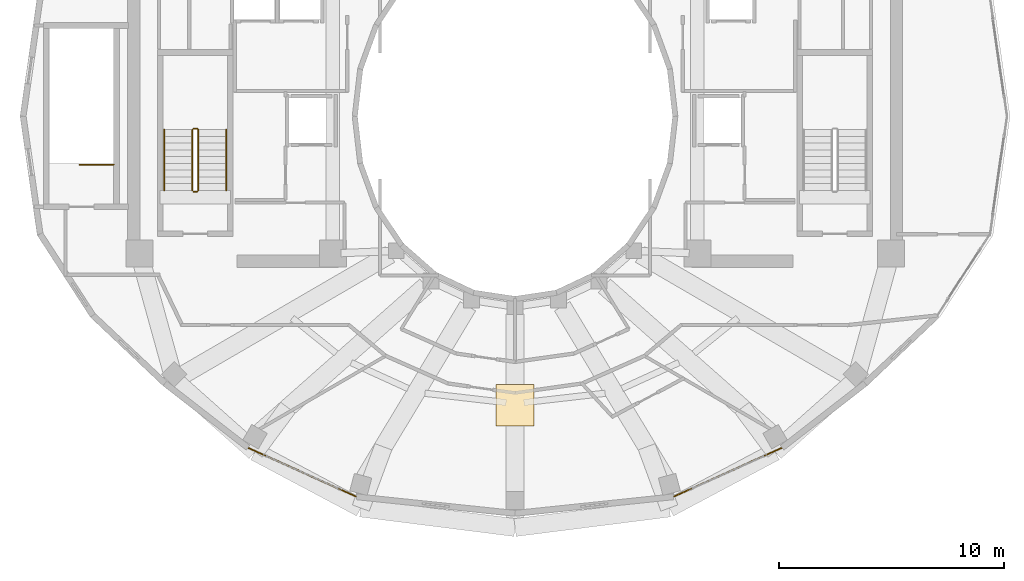
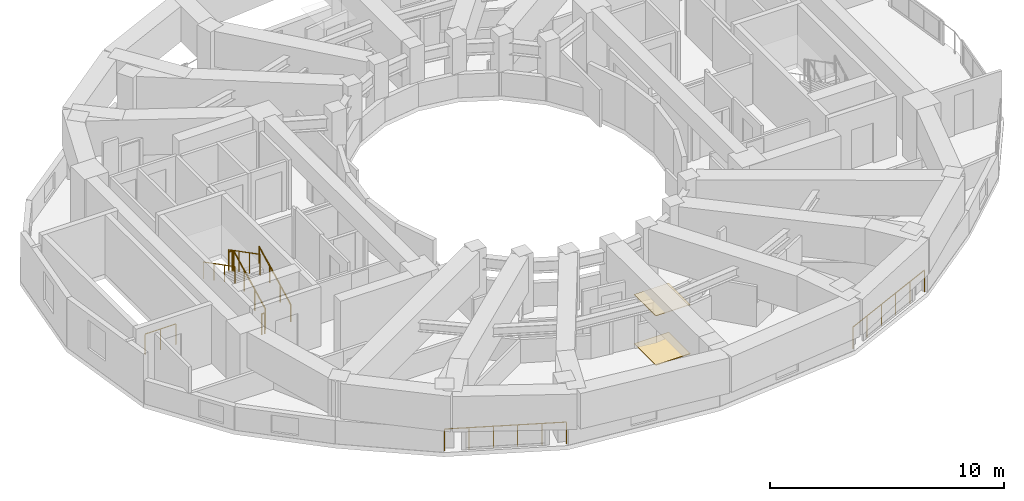
# One storey, part 18 of 20: 9 railings, 2 coverings.
"""IFC4 building model written with IfcOpenShell, lengths in metres."""

from ifc_helpers import new_model, si_unit, direction, frame, origin, origin_2d, place, context, subcontext, project, spatial, polyline, circle, outline, extrude, material, layer, layer_set, type_object, element, save


model = new_model("IFC4")

# Units and contexts
model_context = context("Model", 3, precision=1e-05, world=origin(), true_north=direction((0.0, 1.0)))
body_context = subcontext(model_context, "Body", "Model", "MODEL_VIEW")
ifc_project = project(units=[si_unit("LENGTHUNIT", "METRE"), si_unit("AREAUNIT", "SQUARE_METRE"), si_unit("VOLUMEUNIT", "CUBIC_METRE"), si_unit("PLANEANGLEUNIT", "RADIAN"), si_unit("MASSUNIT", "GRAM", prefix="KILO")], contexts=[model_context])

# Site, building, storey
site_placement = place(None, origin())
site = spatial("IfcSite", under=ifc_project, at=site_placement, CompositionType="ELEMENT")
building_placement = place(site_placement, origin())
building = spatial("IfcBuilding", under=site, at=building_placement, Name="Solvane Sanctuary Tower", CompositionType="ELEMENT")
storey_placement = place(building_placement, frame((0.0, 0.0, 217.10009765625)))
storey = spatial("IfcBuildingStorey", under=building, at=storey_placement, Name="L66", CompositionType="ELEMENT", Elevation=217.10009765625)

# Coverings
ifc_material_1 = material(Name="Acoustic Gypsum Partition Board")
ifc_layer_1 = layer(ifc_material_1, 0.02490234375, Name="Acoustic Gypsum Partition Board")
ifc_layer_set_1 = layer_set([ifc_layer_1], Name="Acoustic Gypsum Partition Board")
covering_type_1 = type_object("IfcCoveringType", Name="Covering CLG-ACOUST", PredefinedType="CEILING", material=ifc_layer_set_1)
covering_1_placement = place(storey_placement, frame((0.0, 0.0, 2.56982421875)))
element("IfcCovering", 1, at=covering_1_placement, inside=storey, type_object=covering_type_1, Name="L66 Unit Acoustic Ceiling Panel 3", PredefinedType="CEILING", context=body_context, shape_type="SweptSolid", body=[
    extrude(outline(polyline([(31.14990234375, 9.22509765625), (32.85009765625, 9.22509765625), (32.85009765625, 11.074951171875), (31.14990234375, 11.074951171875), (31.14990234375, 9.22509765625)])), origin(), (0.0, 0.0, 1.0), 0.030029296875),
])
ifc_material_2 = material(Name="Ceramic Tile Finish")
ifc_layer_2 = layer(ifc_material_2, 0.030029296875, Name="Ceramic Tile Finish")
ifc_layer_set_2 = layer_set([ifc_layer_2], Name="Ceramic Tile Finish")
covering_type_2 = type_object("IfcCoveringType", Name="Covering FLR-TERRAZZO", PredefinedType="FLOORING", material=ifc_layer_set_2)
covering_2_placement = place(storey_placement, origin())
element("IfcCovering", 2, at=covering_2_placement, inside=storey, type_object=covering_type_2, Name="L66 Unit Terrazzo Inlay 3", PredefinedType="FLOORING", context=body_context, shape_type="SweptSolid", body=[
    extrude(outline(polyline([(31.14990234375, 9.22509765625), (32.85009765625, 9.22509765625), (32.85009765625, 11.074951171875), (31.14990234375, 11.074951171875), (31.14990234375, 9.22509765625)])), origin(), (0.0, 0.0, 1.0), 0.034912109375),
])

# Railings
ifc_material_3 = material(Name="Architectural Stainless Steel 316", Category="steel")
railing_type_1 = type_object("IfcRailingType", Name="Railing GR-BALC-1150", PredefinedType="BALUSTRADE", material=ifc_material_3)
railing_1_placement = place(storey_placement, frame((20.1572265625, 8.255126953125, 0.0)))
element("IfcRailing", 3, at=railing_1_placement, inside=storey, type_object=railing_type_1, Name="L66 Curtain-Wall Perimeter Sill Guard 16", PredefinedType="BALUSTRADE", context=body_context, shape_type="SweptSolid", body=[
    extrude(circle(Radius=0.02392578125, at=origin_2d()), frame((0.0, 0.0, 1.1259765625), z_axis=(0.911425316527, -0.411465542171, 0.0), x_axis=(0.411465542171, 0.911425316527, 0.0)), (0.0, 0.0, 1.0), 5.236328125),
    extrude(circle(Radius=0.02099609375, at=origin_2d()), origin(), (0.0, 0.0, 1.0), 1.101806640625),
    extrude(circle(Radius=0.02099609375, at=origin_2d()), frame((0.95458984375, -0.430908203125, 0.0)), (0.0, 0.0, 1.0), 1.101806640625),
    extrude(circle(Radius=0.02099609375, at=origin_2d()), frame((1.908935546875, -0.86181640625, 0.0)), (0.0, 0.0, 1.0), 1.101806640625),
    extrude(circle(Radius=0.02099609375, at=origin_2d()), frame((2.863525390625, -1.292724609375, 0.0)), (0.0, 0.0, 1.0), 1.101806640625),
    extrude(circle(Radius=0.02099609375, at=origin_2d()), frame((3.81787109375, -1.7236328125, 0.0)), (0.0, 0.0, 1.0), 1.101806640625),
    extrude(circle(Radius=0.02099609375, at=origin_2d()), frame((4.7724609375, -2.154541015625, 0.0)), (0.0, 0.0, 1.0), 1.101806640625),
])
railing_2_placement = place(storey_placement, frame((39.0703125, 6.1005859375, 0.0)))
element("IfcRailing", 4, at=railing_2_placement, inside=storey, type_object=railing_type_1, Name="L66 Curtain-Wall Perimeter Sill Guard 19", PredefinedType="BALUSTRADE", context=body_context, shape_type="SweptSolid", body=[
    extrude(circle(Radius=0.02392578125, at=origin_2d()), frame((0.0, 0.0, 1.1259765625), z_axis=(0.911425316527, 0.411465542171, 0.0), x_axis=(-0.411465542171, 0.911425316527, 0.0)), (0.0, 0.0, 1.0), 5.236328125),
    extrude(circle(Radius=0.02099609375, at=origin_2d()), origin(), (0.0, 0.0, 1.0), 1.101806640625),
    extrude(circle(Radius=0.02099609375, at=origin_2d()), frame((0.95458984375, 0.430908203125, 0.0)), (0.0, 0.0, 1.0), 1.101806640625),
    extrude(circle(Radius=0.02099609375, at=origin_2d()), frame((1.908935546875, 0.86181640625, 0.0)), (0.0, 0.0, 1.0), 1.101806640625),
    extrude(circle(Radius=0.02099609375, at=origin_2d()), frame((2.863525390625, 1.292724609375, 0.0)), (0.0, 0.0, 1.0), 1.101806640625),
    extrude(circle(Radius=0.02099609375, at=origin_2d()), frame((3.81787109375, 1.7236328125, 0.0)), (0.0, 0.0, 1.0), 1.101806640625),
    extrude(circle(Radius=0.02099609375, at=origin_2d()), frame((4.7724609375, 2.154541015625, 0.0)), (0.0, 0.0, 1.0), 1.101806640625),
])
railing_3_placement = place(storey_placement, frame((17.919921875, 19.699951171875, 0.15478515625)))
element("IfcRailing", 5, at=railing_3_placement, inside=storey, type_object=railing_type_1, Name="L66 ST-1 stair guard 1", PredefinedType="BALUSTRADE", context=body_context, shape_type="SweptSolid", body=[
    extrude(circle(Radius=0.02392578125, at=origin_2d()), frame((0.0, 0.0, 1.076171875), z_axis=(0.0, 0.888419900624, 0.459031676658), x_axis=(-1.0, 0.0, 0.0)), (0.0, 0.0, 1.0), 3.0390625),
    extrude(circle(Radius=0.02099609375, at=origin_2d()), origin(), (0.0, 0.0, 1.0), 1.052001953125),
    extrude(circle(Radius=0.02099609375, at=origin_2d()), frame((0.0, 0.89990234375, 0.465087890625)), (0.0, 0.0, 1.0), 1.052001953125),
    extrude(circle(Radius=0.02099609375, at=origin_2d()), frame((0.0, 1.800048828125, 0.929931640625)), (0.0, 0.0, 1.0), 1.052001953125),
    extrude(circle(Radius=0.02099609375, at=origin_2d()), frame((0.0, 2.699951171875, 1.39501953125)), (0.0, 0.0, 1.0), 1.052001953125),
])
railing_4_placement = place(storey_placement, frame((17.8701171875, 22.449951171875, 1.5498046875)))
element("IfcRailing", 6, at=railing_4_placement, inside=storey, type_object=railing_type_1, Name="L66 ST-1 stair guard 2", PredefinedType="BALUSTRADE", context=body_context, shape_type="SweptSolid", body=[
    extrude(circle(Radius=0.02392578125, at=origin_2d()), frame((0.0, 0.0, 1.076171875), z_axis=(-1.0, 0.0, 0.0), x_axis=(0.0, -1.0, 0.0)), (0.0, 0.0, 1.0), 0.16015625),
    extrude(circle(Radius=0.02099609375, at=origin_2d()), origin(), (0.0, 0.0, 1.0), 1.052001953125),
    extrude(circle(Radius=0.02099609375, at=origin_2d()), frame((-0.16015625, 0.0, 0.0)), (0.0, 0.0, 1.0), 1.052001953125),
])
railing_5_placement = place(storey_placement, frame((17.659912109375, 22.39990234375, 1.704833984375)))
element("IfcRailing", 7, at=railing_5_placement, inside=storey, type_object=railing_type_1, Name="L66 ST-1 stair guard 3", PredefinedType="BALUSTRADE", context=body_context, shape_type="SweptSolid", body=[
    extrude(circle(Radius=0.02392578125, at=origin_2d()), frame((0.0, 0.0, 1.076171875), z_axis=(0.0, -0.888419900624, 0.459031676658), x_axis=(1.0, 0.0, 0.0)), (0.0, 0.0, 1.0), 3.0390625),
    extrude(circle(Radius=0.02099609375, at=origin_2d()), origin(), (0.0, 0.0, 1.0), 1.052001953125),
    extrude(circle(Radius=0.02099609375, at=origin_2d()), frame((0.0, -0.89990234375, 0.465087890625)), (0.0, 0.0, 1.0), 1.052001953125),
    extrude(circle(Radius=0.02099609375, at=origin_2d()), frame((0.0, -1.800048828125, 0.929931640625)), (0.0, 0.0, 1.0), 1.052001953125),
    extrude(circle(Radius=0.02099609375, at=origin_2d()), frame((0.0, -2.699951171875, 1.39501953125)), (0.0, 0.0, 1.0), 1.052001953125),
])
railing_6_placement = place(storey_placement, frame((17.8701171875, 19.64990234375, 0.0)))
element("IfcRailing", 8, at=railing_6_placement, inside=storey, type_object=railing_type_1, Name="L66 ST-1 stair guard 4", PredefinedType="BALUSTRADE", context=body_context, shape_type="SweptSolid", body=[
    extrude(circle(Radius=0.02392578125, at=origin_2d()), frame((0.0, 0.0, 1.076171875), z_axis=(-1.0, 0.0, 0.0), x_axis=(0.0, -1.0, 0.0)), (0.0, 0.0, 1.0), 0.16015625),
    extrude(circle(Radius=0.02099609375, at=origin_2d()), origin(), (0.0, 0.0, 1.0), 1.052001953125),
    extrude(circle(Radius=0.02099609375, at=origin_2d()), frame((-0.16015625, 0.0, 0.0)), (0.0, 0.0, 1.0), 1.052001953125),
])
railing_7_placement = place(storey_placement, frame((14.159912109375, 20.85009765625, 0.0)))
element("IfcRailing", 9, at=railing_7_placement, inside=storey, type_object=railing_type_1, Name="L66 ST-3 top well guard 1", PredefinedType="BALUSTRADE", context=body_context, shape_type="SweptSolid", body=[
    extrude(circle(Radius=0.02392578125, at=origin_2d()), frame((0.0, 0.0, 1.076171875), z_axis=(-1.0, 0.0, 0.0), x_axis=(0.0, -1.0, 0.0)), (0.0, 0.0, 1.0), 1.510009765625),
    extrude(circle(Radius=0.02099609375, at=origin_2d()), origin(), (0.0, 0.0, 1.0), 1.052001953125),
    extrude(circle(Radius=0.02099609375, at=origin_2d()), frame((-0.7548828125, 0.0, 0.0)), (0.0, 0.0, 1.0), 1.052001953125),
    extrude(circle(Radius=0.02099609375, at=origin_2d()), frame((-1.510009765625, 0.0, 0.0)), (0.0, 0.0, 1.0), 1.052001953125),
])
railing_type_2 = type_object("IfcRailingType", Name="Railing HR-STAIR-920", PredefinedType="HANDRAIL", material=ifc_material_3)
railing_8_placement = place(storey_placement, frame((19.169921875, 19.699951171875, 0.15478515625)))
element("IfcRailing", 10, at=railing_8_placement, inside=storey, type_object=railing_type_2, Name="L66 ST-1 stair handrail 1", PredefinedType="HANDRAIL", context=body_context, shape_type="SweptSolid", body=[
    extrude(circle(Radius=0.02392578125, at=origin_2d()), frame((0.0, 0.0, 0.8759765625), z_axis=(0.0, 0.888419900624, 0.459031676658), x_axis=(-1.0, 0.0, 0.0)), (0.0, 0.0, 1.0), 3.0390625),
    extrude(circle(Radius=0.02099609375, at=origin_2d()), origin(), (0.0, 0.0, 1.0), 0.851806640625),
    extrude(circle(Radius=0.02099609375, at=origin_2d()), frame((0.0, 0.89990234375, 0.465087890625)), (0.0, 0.0, 1.0), 0.851806640625),
    extrude(circle(Radius=0.02099609375, at=origin_2d()), frame((0.0, 1.800048828125, 0.929931640625)), (0.0, 0.0, 1.0), 0.851806640625),
    extrude(circle(Radius=0.02099609375, at=origin_2d()), frame((0.0, 2.699951171875, 1.39501953125)), (0.0, 0.0, 1.0), 0.851806640625),
])
railing_9_placement = place(storey_placement, frame((16.409912109375, 22.39990234375, 1.704833984375)))
element("IfcRailing", 11, at=railing_9_placement, inside=storey, type_object=railing_type_2, Name="L66 ST-1 stair handrail 2", PredefinedType="HANDRAIL", context=body_context, shape_type="SweptSolid", body=[
    extrude(circle(Radius=0.02392578125, at=origin_2d()), frame((0.0, 0.0, 0.8759765625), z_axis=(0.0, -0.888419900624, 0.459031676658), x_axis=(1.0, 0.0, 0.0)), (0.0, 0.0, 1.0), 3.0390625),
    extrude(circle(Radius=0.02099609375, at=origin_2d()), origin(), (0.0, 0.0, 1.0), 0.851806640625),
    extrude(circle(Radius=0.02099609375, at=origin_2d()), frame((0.0, -0.89990234375, 0.465087890625)), (0.0, 0.0, 1.0), 0.851806640625),
    extrude(circle(Radius=0.02099609375, at=origin_2d()), frame((0.0, -1.800048828125, 0.929931640625)), (0.0, 0.0, 1.0), 0.851806640625),
    extrude(circle(Radius=0.02099609375, at=origin_2d()), frame((0.0, -2.699951171875, 1.39501953125)), (0.0, 0.0, 1.0), 0.851806640625),
])

save(model, "model.ifc")
